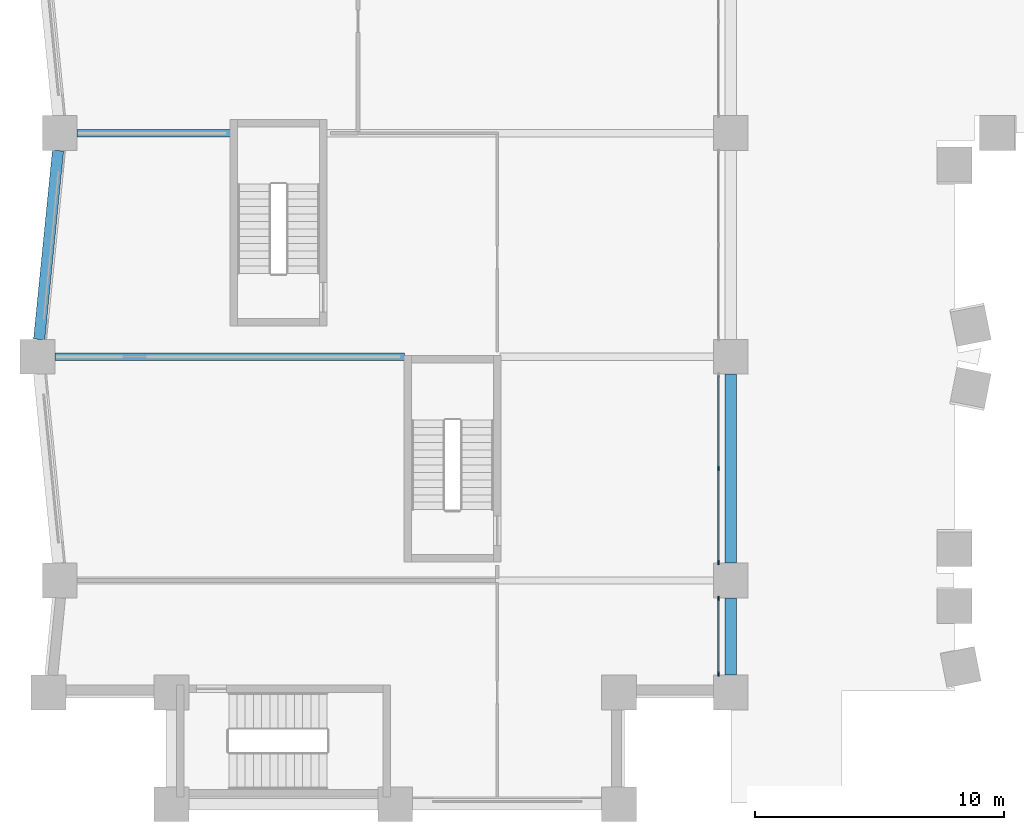
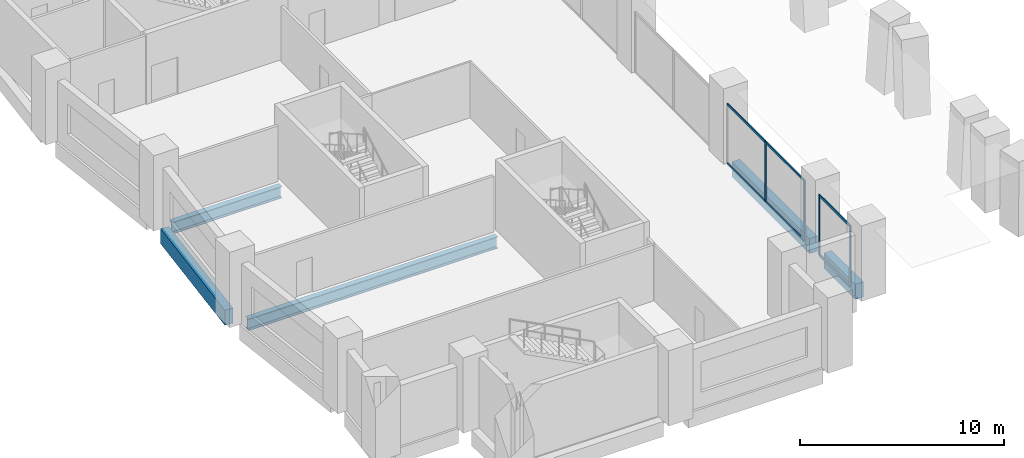
# One storey, part 2 of 18: 10 members, 5 beams, 2 elements without a shape of their own.
"""IFC4 building model written with IfcOpenShell, lengths in metres."""

from ifc_helpers import new_model, si_unit, direction, frame, origin, origin_2d, place, context, subcontext, project, spatial, rectangle, i_section, extrude, material, material_profile, profile_set, type_object, element, aggregate, save


model = new_model("IFC4")

# Units and contexts
model_context = context("Model", 3, precision=1e-05, world=origin(), true_north=direction((0.0, 1.0)))
body_context = subcontext(model_context, "Body", "Model", "MODEL_VIEW")
ifc_project = project(units=[si_unit("LENGTHUNIT", "METRE"), si_unit("AREAUNIT", "SQUARE_METRE"), si_unit("VOLUMEUNIT", "CUBIC_METRE"), si_unit("PLANEANGLEUNIT", "RADIAN"), si_unit("MASSUNIT", "GRAM", prefix="KILO")], contexts=[model_context])

# Site, building, storey
site_placement = place(None, origin())
site = spatial("IfcSite", under=ifc_project, at=site_placement, CompositionType="ELEMENT")
building_placement = place(site_placement, origin())
building = spatial("IfcBuilding", under=site, at=building_placement, Name="Brondeck Convention Tower", CompositionType="ELEMENT")
storey_placement = place(building_placement, frame((0.0, 0.0, 27.5)))
storey = spatial("IfcBuildingStorey", under=building, at=storey_placement, Name="L04", CompositionType="ELEMENT", Elevation=27.5)

# Curtain wall, members
ifc_material_1 = material(Name="Aluminium, bronze anodised", Category="aluminium")
curtain_wall_type = type_object("IfcCurtainWallType", Name="Podium hall curtain wall", PredefinedType="NOTDEFINED", material=ifc_material_1)
curtain_wall_1_placement = place(storey_placement, origin())
curtain_wall_1 = element("IfcCurtainWall", 1, at=curtain_wall_1_placement, inside=storey, type_object=curtain_wall_type, Name="ENV-CW2-L04-B-E-06", PredefinedType="NOTDEFINED")
ifc_material_profile_1 = material_profile(ifc_material_1, rectangle(XDim=0.06005859375, YDim=0.179931640625, at=origin_2d()), Name="CW2 mullion")
ifc_profile_set_1 = profile_set([ifc_material_profile_1], Name="Aluminium, bronze anodised")
member_type_1 = type_object("IfcMemberType", Name="CW2 mullion", PredefinedType="MULLION", material=ifc_profile_set_1)
member_1_placement = place(storey_placement, frame((26.5, 8.27001953125, 0.0), z_axis=(0.0, 0.0, 1.0), x_axis=(1.0, 0.0, 0.0)))
member_1 = element("IfcMember", 2, at=member_1_placement, type_object=member_type_1, Name="CW2 mullion 1", PredefinedType="MULLION", context=body_context, shape_type="SweptSolid", body=[
    extrude(rectangle(XDim=0.06005859375, YDim=0.179931640625, at=origin_2d()), origin(), (0.0, 0.0, 1.0), 3.60009765625),
])
member_2_placement = place(storey_placement, frame((26.5, 5.22998046875, 0.0), z_axis=(0.0, 0.0, 1.0), x_axis=(1.0, 0.0, 0.0)))
member_2 = element("IfcMember", 3, at=member_2_placement, type_object=member_type_1, Name="CW2 mullion 2", PredefinedType="MULLION", context=body_context, shape_type="SweptSolid", body=[
    extrude(rectangle(XDim=0.06005859375, YDim=0.179931640625, at=origin_2d()), origin(), (0.0, 0.0, 1.0), 3.60009765625),
])

curtain_wall_2_placement = place(storey_placement, origin())
curtain_wall_2 = element("IfcCurtainWall", 4, at=curtain_wall_2_placement, inside=storey, type_object=curtain_wall_type, Name="ENV-CW2-L04-B-E-05", PredefinedType="NOTDEFINED")
member_3_placement = place(storey_placement, frame((26.5, 13.5, 0.0), z_axis=(0.0, 0.0, 1.0), x_axis=(1.0, 0.0, 0.0)))
member_3 = element("IfcMember", 5, at=member_3_placement, type_object=member_type_1, Name="CW2 mullion 2", PredefinedType="MULLION", context=body_context, shape_type="SweptSolid", body=[
    extrude(rectangle(XDim=0.06005859375, YDim=0.179931640625, at=origin_2d()), origin(), (0.0, 0.0, 1.0), 3.60009765625),
])
member_4_placement = place(storey_placement, frame((26.5, 9.72998046875, 0.0), z_axis=(0.0, 0.0, 1.0), x_axis=(1.0, 0.0, 0.0)))
member_4 = element("IfcMember", 6, at=member_4_placement, type_object=member_type_1, Name="CW2 mullion 3", PredefinedType="MULLION", context=body_context, shape_type="SweptSolid", body=[
    extrude(rectangle(XDim=0.06005859375, YDim=0.179931640625, at=origin_2d()), origin(), (0.0, 0.0, 1.0), 3.60009765625),
])

# Member
ifc_material_profile_2 = material_profile(ifc_material_1, rectangle(XDim=0.06005859375, YDim=0.139892578125, at=origin_2d()), Name="CW2 transom")
ifc_profile_set_2 = profile_set([ifc_material_profile_2], Name="Aluminium, bronze anodised")
member_type_2 = type_object("IfcMemberType", Name="CW2 transom", PredefinedType="USERDEFINED", material=ifc_profile_set_2)
member_5_placement = place(storey_placement, frame((26.5, 8.239990234375, 0.030029296875), z_axis=(0.0, -1.0, 0.0), x_axis=(1.0, 0.0, 0.0)))
member_5 = element("IfcMember", 7, at=member_5_placement, type_object=member_type_2, Name="CW2 transom 1.1", ObjectType="TRANSOM", PredefinedType="USERDEFINED", context=body_context, shape_type="SweptSolid", body=[
    extrude(rectangle(XDim=0.06005859375, YDim=0.139892578125, at=origin_2d()), origin(), (0.0, 0.0, 1.0), 2.97998046875),
])

member_6_placement = place(storey_placement, frame((26.5, 8.239990234375, 3.570068359375), z_axis=(0.0, -1.0, 0.0), x_axis=(1.0, 0.0, 0.0)))
member_6 = element("IfcMember", 8, at=member_6_placement, type_object=member_type_2, Name="CW2 transom 1.2", ObjectType="TRANSOM", PredefinedType="USERDEFINED", context=body_context, shape_type="SweptSolid", body=[
    extrude(rectangle(XDim=0.06005859375, YDim=0.139892578125, at=origin_2d()), origin(), (0.0, 0.0, 1.0), 2.97998046875),
])

aggregate(curtain_wall_1, [member_1, member_2, member_5, member_6])

member_7_placement = place(storey_placement, frame((26.5, 17.239990234375, 0.030029296875), z_axis=(0.0, -1.0, 0.0), x_axis=(1.0, 0.0, 0.0)))
member_7 = element("IfcMember", 9, at=member_7_placement, type_object=member_type_2, Name="CW2 transom 1.1", ObjectType="TRANSOM", PredefinedType="USERDEFINED", context=body_context, shape_type="SweptSolid", body=[
    extrude(rectangle(XDim=0.06005859375, YDim=0.139892578125, at=origin_2d()), origin(), (0.0, 0.0, 1.0), 3.7099609375),
])

member_8_placement = place(storey_placement, frame((26.5, 17.239990234375, 3.570068359375), z_axis=(0.0, -1.0, 0.0), x_axis=(1.0, 0.0, 0.0)))
member_8 = element("IfcMember", 10, at=member_8_placement, type_object=member_type_2, Name="CW2 transom 1.2", ObjectType="TRANSOM", PredefinedType="USERDEFINED", context=body_context, shape_type="SweptSolid", body=[
    extrude(rectangle(XDim=0.06005859375, YDim=0.139892578125, at=origin_2d()), origin(), (0.0, 0.0, 1.0), 3.7099609375),
])

member_9_placement = place(storey_placement, frame((26.5, 13.469970703125, 0.030029296875), z_axis=(0.0, -1.0, 0.0), x_axis=(1.0, 0.0, 0.0)))
member_9 = element("IfcMember", 11, at=member_9_placement, type_object=member_type_2, Name="CW2 transom 2.1", ObjectType="TRANSOM", PredefinedType="USERDEFINED", context=body_context, shape_type="SweptSolid", body=[
    extrude(rectangle(XDim=0.06005859375, YDim=0.139892578125, at=origin_2d()), origin(), (0.0, 0.0, 1.0), 3.7099609375),
])

member_10_placement = place(storey_placement, frame((26.5, 13.469970703125, 3.570068359375), z_axis=(0.0, -1.0, 0.0), x_axis=(1.0, 0.0, 0.0)))
member_10 = element("IfcMember", 12, at=member_10_placement, type_object=member_type_2, Name="CW2 transom 2.2", ObjectType="TRANSOM", PredefinedType="USERDEFINED", context=body_context, shape_type="SweptSolid", body=[
    extrude(rectangle(XDim=0.06005859375, YDim=0.139892578125, at=origin_2d()), origin(), (0.0, 0.0, 1.0), 3.7099609375),
])

aggregate(curtain_wall_2, [member_3, member_4, member_7, member_8, member_9, member_10])

# Beams
ifc_material_2 = material(Name="Concrete C80/95", Category="concrete")
ifc_material_profile_3 = material_profile(ifc_material_2, rectangle(XDim=0.449951171875, YDim=0.89990234375, at=origin_2d()), Name="Edge beam 450x900 Concrete C80/95")
ifc_profile_set_3 = profile_set([ifc_material_profile_3], Name="Concrete C80/95")
beam_type_1 = type_object("IfcBeamType", Name="Edge beam 450x900 Concrete C80/95", PredefinedType="BEAM", material=ifc_profile_set_3)
beam_1_placement = place(storey_placement, frame((27.0, 5.199951171875, -0.449951171875), z_axis=(0.0, 1.0, 0.0), x_axis=(-1.0, 0.0, 0.0)))
element("IfcBeam", 13, at=beam_1_placement, inside=storey, type_object=beam_type_1, Name="STR-SP-L04-005", PredefinedType="BEAM", context=body_context, shape_type="SweptSolid", body=[
    extrude(rectangle(XDim=0.449951171875, YDim=0.89990234375, at=origin_2d()), origin(), (0.0, 0.0, 1.0), 3.10009765625),
])
beam_2_placement = place(storey_placement, frame((27.0, 9.699951171875, -0.449951171875), z_axis=(0.0, 1.0, 0.0), x_axis=(-1.0, 0.0, 0.0)))
element("IfcBeam", 14, at=beam_2_placement, inside=storey, type_object=beam_type_1, Name="STR-SP-L04-006", PredefinedType="BEAM", context=body_context, shape_type="SweptSolid", body=[
    extrude(rectangle(XDim=0.449951171875, YDim=0.89990234375, at=origin_2d()), origin(), (0.0, 0.0, 1.0), 7.60009765625),
])
beam_3_placement = place(storey_placement, frame((-0.070068359375, 26.300048828125, -0.449951171875), z_axis=(-0.099503719021, -0.99503719021, 0.0), x_axis=(0.99503719021, -0.099503719021, 0.0)))
element("IfcBeam", 15, at=beam_3_placement, inside=storey, type_object=beam_type_1, Name="STR-SP-L04-034", PredefinedType="BEAM", context=body_context, shape_type="SweptSolid", body=[
    extrude(rectangle(XDim=0.449951171875, YDim=0.89990234375, at=origin_2d()), origin(), (0.0, 0.0, 1.0), 7.637939453125),
])
ifc_material_3 = material(Name="Steel S355", Category="steel")
ifc_material_profile_4 = material_profile(ifc_material_3, i_section(OverallWidth=0.300048828125, OverallDepth=0.699951171875, WebThickness=0.01708984375, FlangeThickness=0.031982421875, FilletRadius=0.027099609375, at=origin_2d()), Name="HEB 700")
ifc_profile_set_4 = profile_set([ifc_material_profile_4], Name="Steel S355")
beam_type_2 = type_object("IfcBeamType", Name="Girder HEB 700", PredefinedType="BEAM", material=ifc_profile_set_4)
beam_4_placement = place(storey_placement, frame((-0.199951171875, 18.0, -0.64990234375), z_axis=(1.0, 0.0, 0.0), x_axis=(0.0, 1.0, 0.0)))
element("IfcBeam", 16, at=beam_4_placement, inside=storey, type_object=beam_type_2, Name="STR-GR-L04-008", PredefinedType="BEAM", context=body_context, shape_type="SweptSolid", body=[
    extrude(i_section(OverallWidth=0.300048828125, OverallDepth=0.699951171875, WebThickness=0.01708984375, FlangeThickness=0.031982421875, FilletRadius=0.027099609375, at=origin_2d()), origin(), (0.0, 0.0, 1.0), 14.079833984375),
])
beam_5_placement = place(storey_placement, frame((0.699951171875, 27.0, -0.64990234375), z_axis=(1.0, 0.0, 0.0), x_axis=(0.0, 1.0, 0.0)))
element("IfcBeam", 17, at=beam_5_placement, inside=storey, type_object=beam_type_2, Name="STR-GR-L04-010", PredefinedType="BEAM", context=body_context, shape_type="SweptSolid", body=[
    extrude(i_section(OverallWidth=0.300048828125, OverallDepth=0.699951171875, WebThickness=0.01708984375, FlangeThickness=0.031982421875, FilletRadius=0.027099609375, at=origin_2d()), origin(), (0.0, 0.0, 1.0), 6.179931640625),
])

save(model, "model.ifc")
